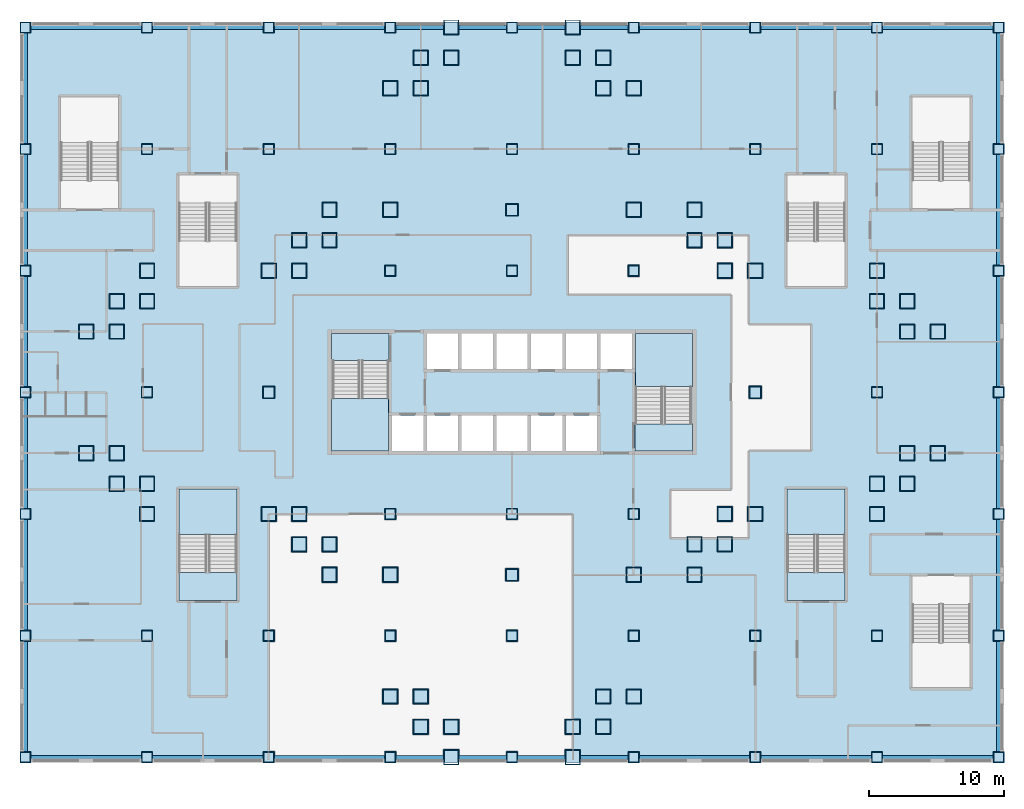
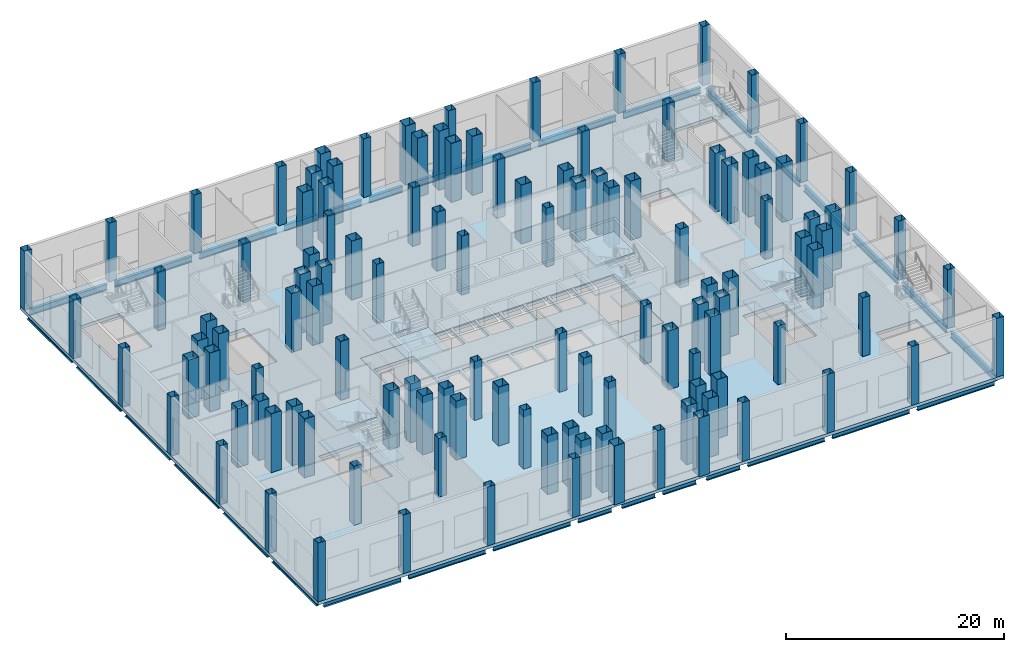
# One storey, part 1 of 26: 118 columns, 32 beams, 14 slabs, 4 elements without a shape of their own.
"""IFC4 building model written with IfcOpenShell, lengths in metres."""

from ifc_helpers import new_model, si_unit, direction, frame, origin, origin_2d, place, context, subcontext, project, spatial, polyline, hollow_rectangle, i_section, outline, extrude, material, layer, layer_set, material_profile, profile_set, type_object, element, aggregate, save


model = new_model("IFC4")

# Units and contexts
model_context = context("Model", 3, precision=1e-05, world=origin(), true_north=direction((0.0, 1.0)))
body_context = subcontext(model_context, "Body", "Model", "MODEL_VIEW")
ifc_project = project(units=[si_unit("LENGTHUNIT", "METRE"), si_unit("AREAUNIT", "SQUARE_METRE"), si_unit("VOLUMEUNIT", "CUBIC_METRE"), si_unit("PLANEANGLEUNIT", "RADIAN"), si_unit("MASSUNIT", "GRAM", prefix="KILO")], contexts=[model_context])

# Site, building, storey
site_placement = place(None, origin())
site = spatial("IfcSite", under=ifc_project, at=site_placement, CompositionType="ELEMENT")
building_placement = place(site_placement, origin())
building = spatial("IfcBuilding", under=site, at=building_placement, Name="Caravel Reach Hotel and Residences", CompositionType="ELEMENT")
storey_placement = place(building_placement, frame((0.0, 0.0, 17.39990234375)))
storey = spatial("IfcBuildingStorey", under=building, at=storey_placement, Name="L03", CompositionType="ELEMENT", Elevation=17.39990234375)

# Columns
ifc_material_1 = material(Name="Concrete-filled steel tube Q390B with Concrete C70 infill", Category="concrete")
ifc_material_profile_1 = material_profile(ifc_material_1, hollow_rectangle(XDim=1.10009765625, YDim=1.10009765625, WallThickness=0.035888671875, at=origin_2d()), Name="RHS 1100x1100x36")
ifc_profile_set_1 = profile_set([ifc_material_profile_1], Name="Concrete-filled steel tube Q390B with Concrete C70 infill")
column_type_1 = type_object("IfcColumnType", Name="CFT 1100x1100 Q390B C70", PredefinedType="COLUMN", material=ifc_profile_set_1)
for number, where, z_axis, x_axis, name in (
    (1, (22.5, 4.5, 0.0), (0.0, 0.0, 1.0), (1.0, 0.0, 0.0), "C1 column"),
    (2, (24.75, 4.5, 0.0), (0.0, 0.0, 1.0), (1.0, 0.0, 0.0), "C1 column"),
    (3, (24.75, 2.25, 0.0), (0.0, 0.0, 1.0), (1.0, 0.0, 0.0), "C1 column"),
    (4, (27.0, 2.25, 0.0), (0.0, 0.0, 1.0), (1.0, 0.0, 0.0), "C1 column"),
    (5, (27.0, 0.0, 0.0), (0.0, 0.0, 1.0), (1.0, 0.0, 0.0), "C1 column"),
    (6, (36.0, 0.0, 0.0), (0.0, 0.0, 1.0), (1.0, 0.0, 0.0), "C1 column"),
    (7, (36.0, 2.25, 0.0), (0.0, 0.0, 1.0), (1.0, 0.0, 0.0), "C1 column"),
    (8, (38.25, 2.25, 0.0), (0.0, 0.0, 1.0), (1.0, 0.0, 0.0), "C1 column"),
    (9, (38.25, 4.5, 0.0), (0.0, 0.0, 1.0), (1.0, 0.0, 0.0), "C1 column"),
    (10, (40.5, 4.5, 0.0), (0.0, 0.0, 1.0), (1.0, 0.0, 0.0), "C1 column"),
    (11, (40.5, 13.5, 0.0), (0.0, 0.0, 1.0), (1.0, 0.0, 0.0), "C1 column"),
    (12, (45.0, 13.5, 0.0), (0.0, 0.0, 1.0), (1.0, 0.0, 0.0), "C1 column"),
    (13, (45.0, 15.75, 0.0), (0.0, 0.0, 1.0), (1.0, 0.0, 0.0), "C1 column"),
    (14, (47.25, 15.75, 0.0), (0.0, 0.0, 1.0), (1.0, 0.0, 0.0), "C1 column"),
    (15, (47.25, 18.0, 0.0), (0.0, 0.0, 1.0), (1.0, 0.0, 0.0), "C1 column"),
    (16, (49.5, 18.0, 0.0), (0.0, 0.0, 1.0), (1.0, 0.0, 0.0), "C1 column"),
    (17, (58.5, 18.0, 0.0), (0.0, 0.0, 1.0), (1.0, 0.0, 0.0), "C1 column"),
    (18, (58.5, 20.25, 0.0), (0.0, 0.0, 1.0), (1.0, 0.0, 0.0), "C1 column"),
    (19, (60.75, 20.25, 0.0), (0.0, 0.0, 1.0), (1.0, 0.0, 0.0), "C1 column"),
    (20, (60.75, 22.5, 0.0), (0.0, 0.0, 1.0), (1.0, 0.0, 0.0), "C1 column"),
    (21, (63.0, 22.5, 0.0), (0.0, 0.0, 1.0), (1.0, 0.0, 0.0), "C1 column"),
    (22, (63.0, 31.5, 0.0), (0.0, 0.0, 1.0), (1.0, 0.0, 0.0), "C1 column"),
    (23, (60.75, 31.5, 0.0), (0.0, 0.0, 1.0), (1.0, 0.0, 0.0), "C1 column"),
    (24, (60.75, 33.75, 0.0), (0.0, 0.0, 1.0), (1.0, 0.0, 0.0), "C1 column"),
    (25, (58.5, 33.75, 0.0), (0.0, 0.0, 1.0), (1.0, 0.0, 0.0), "C1 column"),
    (26, (58.5, 36.0, 0.0), (0.0, 0.0, 1.0), (1.0, 0.0, 0.0), "C1 column"),
    (27, (49.5, 36.0, 0.0), (0.0, 0.0, 1.0), (1.0, 0.0, 0.0), "C1 column"),
    (28, (47.25, 36.0, 0.0), (0.0, 0.0, 1.0), (1.0, 0.0, 0.0), "C1 column"),
    (29, (47.25, 38.25, 0.0), (0.0, 0.0, 1.0), (1.0, 0.0, 0.0), "C1 column"),
    (30, (45.0, 38.25, 0.0), (0.0, 0.0, 1.0), (1.0, 0.0, 0.0), "C1 column"),
    (31, (45.0, 40.5, 0.0), (0.0, 0.0, 1.0), (1.0, 0.0, 0.0), "C1 column"),
    (32, (40.5, 40.5, 0.0), (0.0, 0.0, 1.0), (1.0, 0.0, 0.0), "C1 column"),
    (33, (40.5, 49.5, 0.0), (0.0, 0.0, 1.0), (1.0, 0.0, 0.0), "C1 column"),
    (34, (38.25, 49.5, 0.0), (0.0, 0.0, 1.0), (1.0, 0.0, 0.0), "C1 column"),
    (35, (38.25, 51.75, 0.0), (0.0, 0.0, 1.0), (1.0, 0.0, 0.0), "C1 column"),
    (36, (36.0, 51.75, 0.0), (0.0, 0.0, 1.0), (1.0, 0.0, 0.0), "C1 column"),
    (37, (36.0, 54.0, 0.0), (0.0, 0.0, 1.0), (1.0, 0.0, 0.0), "C1 column"),
    (38, (27.0, 54.0, 0.0), (0.0, 0.0, 1.0), (1.0, 0.0, 0.0), "C1 column"),
    (39, (27.0, 51.75, 0.0), (0.0, 0.0, 1.0), (1.0, 0.0, 0.0), "C1 column"),
    (40, (24.75, 51.75, 0.0), (0.0, 0.0, 1.0), (1.0, 0.0, 0.0), "C1 column"),
    (41, (24.75, 49.5, 0.0), (0.0, 0.0, 1.0), (1.0, 0.0, 0.0), "C1 column"),
    (42, (22.5, 49.5, 0.0), (0.0, 0.0, 1.0), (1.0, 0.0, 0.0), "C1 column"),
    (43, (22.5, 40.5, 0.0), (0.0, 0.0, 1.0), (1.0, 0.0, 0.0), "C1 column"),
    (44, (18.0, 40.5, 0.0), (0.0, 0.0, 1.0), (1.0, 0.0, 0.0), "C1 column"),
    (45, (18.0, 38.25, 0.0), (0.0, 0.0, 1.0), (1.0, 0.0, 0.0), "C1 column"),
    (46, (15.75, 38.25, 0.0), (0.0, 0.0, 1.0), (1.0, 0.0, 0.0), "C1 column"),
    (47, (15.75, 36.0, 0.0), (0.0, 0.0, 1.0), (1.0, 0.0, 0.0), "C1 column"),
    (48, (13.5, 36.0, 0.0), (0.0, 0.0, 1.0), (1.0, 0.0, 0.0), "C1 column"),
    (49, (4.5, 36.0, 0.0), (0.0, 0.0, 1.0), (1.0, 0.0, 0.0), "C1 column"),
    (50, (4.5, 33.75, 0.0), (0.0, 0.0, 1.0), (1.0, 0.0, 0.0), "C1 column"),
    (51, (2.25, 33.75, 0.0), (0.0, 0.0, 1.0), (1.0, 0.0, 0.0), "C1 column"),
    (52, (2.25, 31.5, 0.0), (0.0, 0.0, 1.0), (1.0, 0.0, 0.0), "C1 column"),
    (53, (0.0, 31.5, 0.0), (0.0, 0.0, 1.0), (1.0, 0.0, 0.0), "C1 column"),
    (54, (0.0, 22.5, 0.0), (0.0, 0.0, 1.0), (1.0, 0.0, 0.0), "C1 column"),
    (55, (2.25, 22.5, 0.0), (0.0, 0.0, 1.0), (1.0, 0.0, 0.0), "C1 column"),
    (56, (2.25, 20.25, 0.0), (0.0, 0.0, 1.0), (1.0, 0.0, 0.0), "C1 column"),
    (57, (4.5, 20.25, 0.0), (0.0, 0.0, 1.0), (1.0, 0.0, 0.0), "C1 column"),
    (58, (4.5, 18.0, 0.0), (0.0, 0.0, 1.0), (1.0, 0.0, 0.0), "C1 column"),
    (59, (13.5, 18.0, 0.0), (0.0, 0.0, 1.0), (1.0, 0.0, 0.0), "C1 column"),
    (60, (15.75, 18.0, 0.0), (0.0, 0.0, 1.0), (1.0, 0.0, 0.0), "C1 column"),
    (61, (15.75, 15.75, 0.0), (0.0, 0.0, 1.0), (1.0, 0.0, 0.0), "C1 column"),
    (62, (18.0, 15.75, 0.0), (0.0, 0.0, 1.0), (1.0, 0.0, 0.0), "C1 column"),
    (63, (18.0, 13.5, 0.0), (0.0, 0.0, 1.0), (1.0, 0.0, 0.0), "C1 column"),
    (64, (22.5, 13.5, 0.0), (0.0, 0.0, 1.0), (1.0, 0.0, 0.0), "C1 column"),
):
    element("IfcColumn", number, at=place(storey_placement, frame(where, z_axis=z_axis, x_axis=x_axis)), inside=storey, type_object=column_type_1, Name=name, PredefinedType="COLUMN", context=body_context, shape_type="SweptSolid", body=[
        extrude(hollow_rectangle(XDim=1.10009765625, YDim=1.10009765625, WallThickness=0.035888671875, at=origin_2d()), origin(), (0.0, 0.0, 1.0), 6.60009765625),
    ])
ifc_material_2 = material(Name="Concrete-filled steel tube Q390B with Concrete C70 infill", Category="concrete")
ifc_material_profile_2 = material_profile(ifc_material_2, hollow_rectangle(XDim=0.800048828125, YDim=0.800048828125, WallThickness=0.02490234375, at=origin_2d()), Name="RHS 800x800x25")
ifc_profile_set_2 = profile_set([ifc_material_profile_2], Name="Concrete-filled steel tube Q390B with Concrete C70 infill")
column_type_2 = type_object("IfcColumnType", Name="CFT 800x800 Q390B C70", PredefinedType="COLUMN", material=ifc_profile_set_2)
for number, where, z_axis, x_axis, name in (
    (65, (-4.5, 0.0, 0.0), (0.0, 0.0, 1.0), (1.0, 0.0, 0.0), "C4 column"),
    (66, (-4.5, 9.0, 0.0), (0.0, 0.0, 1.0), (1.0, 0.0, 0.0), "C4 column"),
    (67, (-4.5, 18.0, 0.0), (0.0, 0.0, 1.0), (1.0, 0.0, 0.0), "C4 column"),
    (68, (-4.5, 27.0, 0.0), (0.0, 0.0, 1.0), (1.0, 0.0, 0.0), "C4 column"),
    (69, (-4.5, 36.0, 0.0), (0.0, 0.0, 1.0), (1.0, 0.0, 0.0), "C4 column"),
    (70, (-4.5, 45.0, 0.0), (0.0, 0.0, 1.0), (1.0, 0.0, 0.0), "C4 column"),
    (71, (-4.5, 54.0, 0.0), (0.0, 0.0, 1.0), (1.0, 0.0, 0.0), "C4 column"),
    (72, (4.5, 0.0, 0.0), (0.0, 0.0, 1.0), (1.0, 0.0, 0.0), "C4 column"),
    (73, (4.5, 54.0, 0.0), (0.0, 0.0, 1.0), (1.0, 0.0, 0.0), "C4 column"),
    (74, (13.5, 0.0, 0.0), (0.0, 0.0, 1.0), (1.0, 0.0, 0.0), "C4 column"),
    (75, (13.5, 54.0, 0.0), (0.0, 0.0, 1.0), (1.0, 0.0, 0.0), "C4 column"),
    (76, (22.5, 0.0, 0.0), (0.0, 0.0, 1.0), (1.0, 0.0, 0.0), "C4 column"),
    (77, (22.5, 54.0, 0.0), (0.0, 0.0, 1.0), (1.0, 0.0, 0.0), "C4 column"),
    (78, (31.5, 0.0, 0.0), (0.0, 0.0, 1.0), (1.0, 0.0, 0.0), "C4 column"),
    (79, (31.5, 54.0, 0.0), (0.0, 0.0, 1.0), (1.0, 0.0, 0.0), "C4 column"),
    (80, (40.5, 0.0, 0.0), (0.0, 0.0, 1.0), (1.0, 0.0, 0.0), "C4 column"),
    (81, (40.5, 54.0, 0.0), (0.0, 0.0, 1.0), (1.0, 0.0, 0.0), "C4 column"),
    (82, (49.5, 0.0, 0.0), (0.0, 0.0, 1.0), (1.0, 0.0, 0.0), "C4 column"),
    (83, (49.5, 54.0, 0.0), (0.0, 0.0, 1.0), (1.0, 0.0, 0.0), "C4 column"),
    (84, (58.5, 0.0, 0.0), (0.0, 0.0, 1.0), (1.0, 0.0, 0.0), "C4 column"),
    (85, (58.5, 54.0, 0.0), (0.0, 0.0, 1.0), (1.0, 0.0, 0.0), "C4 column"),
    (86, (67.5, 0.0, 0.0), (0.0, 0.0, 1.0), (1.0, 0.0, 0.0), "C4 column"),
    (87, (67.5, 9.0, 0.0), (0.0, 0.0, 1.0), (1.0, 0.0, 0.0), "C4 column"),
    (88, (67.5, 18.0, 0.0), (0.0, 0.0, 1.0), (1.0, 0.0, 0.0), "C4 column"),
    (89, (67.5, 27.0, 0.0), (0.0, 0.0, 1.0), (1.0, 0.0, 0.0), "C4 column"),
    (90, (67.5, 36.0, 0.0), (0.0, 0.0, 1.0), (1.0, 0.0, 0.0), "C4 column"),
    (91, (67.5, 45.0, 0.0), (0.0, 0.0, 1.0), (1.0, 0.0, 0.0), "C4 column"),
    (92, (67.5, 54.0, 0.0), (0.0, 0.0, 1.0), (1.0, 0.0, 0.0), "C4 column"),
    (93, (4.5, 9.0, 0.0), (0.0, 0.0, 1.0), (1.0, 0.0, 0.0), "C4 column"),
    (94, (4.5, 27.0, 0.0), (0.0, 0.0, 1.0), (1.0, 0.0, 0.0), "C4 column"),
    (95, (4.5, 45.0, 0.0), (0.0, 0.0, 1.0), (1.0, 0.0, 0.0), "C4 column"),
    (96, (13.5, 9.0, 0.0), (0.0, 0.0, 1.0), (1.0, 0.0, 0.0), "C4 column"),
    (97, (13.5, 45.0, 0.0), (0.0, 0.0, 1.0), (1.0, 0.0, 0.0), "C4 column"),
    (98, (22.5, 9.0, 0.0), (0.0, 0.0, 1.0), (1.0, 0.0, 0.0), "C4 column"),
    (99, (22.5, 18.0, 0.0), (0.0, 0.0, 1.0), (1.0, 0.0, 0.0), "C4 column"),
    (100, (22.5, 36.0, 0.0), (0.0, 0.0, 1.0), (1.0, 0.0, 0.0), "C4 column"),
    (101, (22.5, 45.0, 0.0), (0.0, 0.0, 1.0), (1.0, 0.0, 0.0), "C4 column"),
    (102, (31.5, 9.0, 0.0), (0.0, 0.0, 1.0), (1.0, 0.0, 0.0), "C4 column"),
    (103, (31.5, 18.0, 0.0), (0.0, 0.0, 1.0), (1.0, 0.0, 0.0), "C4 column"),
    (104, (31.5, 36.0, 0.0), (0.0, 0.0, 1.0), (1.0, 0.0, 0.0), "C4 column"),
    (105, (31.5, 45.0, 0.0), (0.0, 0.0, 1.0), (1.0, 0.0, 0.0), "C4 column"),
    (106, (40.5, 9.0, 0.0), (0.0, 0.0, 1.0), (1.0, 0.0, 0.0), "C4 column"),
    (107, (40.5, 18.0, 0.0), (0.0, 0.0, 1.0), (1.0, 0.0, 0.0), "C4 column"),
    (108, (40.5, 36.0, 0.0), (0.0, 0.0, 1.0), (1.0, 0.0, 0.0), "C4 column"),
    (109, (40.5, 45.0, 0.0), (0.0, 0.0, 1.0), (1.0, 0.0, 0.0), "C4 column"),
    (110, (49.5, 9.0, 0.0), (0.0, 0.0, 1.0), (1.0, 0.0, 0.0), "C4 column"),
    (111, (49.5, 45.0, 0.0), (0.0, 0.0, 1.0), (1.0, 0.0, 0.0), "C4 column"),
    (112, (58.5, 9.0, 0.0), (0.0, 0.0, 1.0), (1.0, 0.0, 0.0), "C4 column"),
    (113, (58.5, 27.0, 0.0), (0.0, 0.0, 1.0), (1.0, 0.0, 0.0), "C4 column"),
    (114, (58.5, 45.0, 0.0), (0.0, 0.0, 1.0), (1.0, 0.0, 0.0), "C4 column"),
):
    element("IfcColumn", number, at=place(storey_placement, frame(where, z_axis=z_axis, x_axis=x_axis)), inside=storey, type_object=column_type_2, Name=name, PredefinedType="COLUMN", context=body_context, shape_type="SweptSolid", body=[
        extrude(hollow_rectangle(XDim=0.800048828125, YDim=0.800048828125, WallThickness=0.02490234375, at=origin_2d()), origin(), (0.0, 0.0, 1.0), 6.60009765625),
    ])
ifc_material_3 = material(Name="Concrete-filled steel tube Q390B with Concrete C70 infill", Category="concrete")
ifc_material_profile_3 = material_profile(ifc_material_3, hollow_rectangle(XDim=0.89990234375, YDim=0.89990234375, WallThickness=0.028076171875, at=origin_2d()), Name="RHS 900x900x28")
ifc_profile_set_3 = profile_set([ifc_material_profile_3], Name="Concrete-filled steel tube Q390B with Concrete C70 infill")
column_type_3 = type_object("IfcColumnType", Name="CFT 900x900 Q390B C70", PredefinedType="COLUMN", material=ifc_profile_set_3)
for number, where, z_axis, x_axis, name in (
    (115, (31.5, 40.5, 0.0), (0.0, 0.0, 1.0), (1.0, 0.0, 0.0), "C3 column"),
    (116, (31.5, 13.5, 0.0), (0.0, 0.0, 1.0), (1.0, 0.0, 0.0), "C3 column"),
    (117, (13.5, 27.0, 0.0), (0.0, 0.0, 1.0), (1.0, 0.0, 0.0), "C3 column"),
    (118, (49.5, 27.0, 0.0), (0.0, 0.0, 1.0), (1.0, 0.0, 0.0), "C3 column"),
):
    element("IfcColumn", number, at=place(storey_placement, frame(where, z_axis=z_axis, x_axis=x_axis)), inside=storey, type_object=column_type_3, Name=name, PredefinedType="COLUMN", context=body_context, shape_type="SweptSolid", body=[
        extrude(hollow_rectangle(XDim=0.89990234375, YDim=0.89990234375, WallThickness=0.028076171875, at=origin_2d()), origin(), (0.0, 0.0, 1.0), 6.60009765625),
    ])

# Beams
ifc_material_4 = material(Name="Structural steel Q355B", Category="steel")
ifc_material_profile_4 = material_profile(ifc_material_4, i_section(OverallWidth=0.300048828125, OverallDepth=0.699951171875, WebThickness=0.012939453125, FlangeThickness=0.02392578125, FilletRadius=0.01806640625, at=origin_2d()), Name="HN 700x300x13x24")
ifc_profile_set_4 = profile_set([ifc_material_profile_4], Name="Structural steel Q355B")
beam_type = type_object("IfcBeamType", Name="Spandrel beam HN 700x300x13x24", PredefinedType="SPANDREL", material=ifc_profile_set_4)
for number, where, z_axis, x_axis, name in (
    (119, (-4.10009765625, 0.0, -0.699951171875), (1.0, 0.0, 0.0), (0.0, 1.0, 0.0), "SP2 HN 700x300x13x24"),
    (120, (4.89990234375, 0.0, -0.699951171875), (1.0, 0.0, 0.0), (0.0, 1.0, 0.0), "SP2 HN 700x300x13x24"),
    (121, (13.89990234375, 0.0, -0.699951171875), (1.0, 0.0, 0.0), (0.0, 1.0, 0.0), "SP2 HN 700x300x13x24"),
):
    element("IfcBeam", number, at=place(storey_placement, frame(where, z_axis=z_axis, x_axis=x_axis)), inside=storey, type_object=beam_type, Name=name, PredefinedType="SPANDREL", context=body_context, shape_type="SweptSolid", body=[
        extrude(i_section(OverallWidth=0.300048828125, OverallDepth=0.699951171875, WebThickness=0.012939453125, FlangeThickness=0.02392578125, FilletRadius=0.01806640625, at=origin_2d()), origin(), (0.0, 0.0, 1.0), 8.2001953125),
    ])
for number, where, z_axis, x_axis, name in (
    (122, (22.89990234375, 0.0, -0.699951171875), (1.0, 0.0, 0.0), (0.0, 1.0, 0.0), "SP2 HN 700x300x13x24"),
    (123, (27.550048828125, 0.0, -0.699951171875), (1.0, 0.0, 0.0), (0.0, 1.0, 0.0), "SP2 HN 700x300x13x24"),
    (124, (31.89990234375, 0.0, -0.699951171875), (1.0, 0.0, 0.0), (0.0, 1.0, 0.0), "SP2 HN 700x300x13x24"),
    (125, (36.550048828125, 0.0, -0.699951171875), (1.0, 0.0, 0.0), (0.0, 1.0, 0.0), "SP2 HN 700x300x13x24"),
):
    element("IfcBeam", number, at=place(storey_placement, frame(where, z_axis=z_axis, x_axis=x_axis)), inside=storey, type_object=beam_type, Name=name, PredefinedType="SPANDREL", context=body_context, shape_type="SweptSolid", body=[
        extrude(i_section(OverallWidth=0.300048828125, OverallDepth=0.699951171875, WebThickness=0.012939453125, FlangeThickness=0.02392578125, FilletRadius=0.01806640625, at=origin_2d()), origin(), (0.0, 0.0, 1.0), 3.550048828125),
    ])
for number, where, z_axis, x_axis, name in (
    (126, (40.89990234375, 0.0, -0.699951171875), (1.0, 0.0, 0.0), (0.0, 1.0, 0.0), "SP2 HN 700x300x13x24"),
    (127, (49.89990234375, 0.0, -0.699951171875), (1.0, 0.0, 0.0), (0.0, 1.0, 0.0), "SP2 HN 700x300x13x24"),
    (128, (58.89990234375, 0.0, -0.699951171875), (1.0, 0.0, 0.0), (0.0, 1.0, 0.0), "SP2 HN 700x300x13x24"),
    (129, (67.5, 0.39990234375, -0.699951171875), (0.0, 1.0, 0.0), (-1.0, 0.0, 0.0), "SP2 HN 700x300x13x24"),
    (130, (67.5, 9.39990234375, -0.699951171875), (0.0, 1.0, 0.0), (-1.0, 0.0, 0.0), "SP2 HN 700x300x13x24"),
    (131, (67.5, 18.39990234375, -0.699951171875), (0.0, 1.0, 0.0), (-1.0, 0.0, 0.0), "SP2 HN 700x300x13x24"),
    (132, (67.5, 27.39990234375, -0.699951171875), (0.0, 1.0, 0.0), (-1.0, 0.0, 0.0), "SP2 HN 700x300x13x24"),
    (133, (67.5, 36.39990234375, -0.699951171875), (0.0, 1.0, 0.0), (-1.0, 0.0, 0.0), "SP2 HN 700x300x13x24"),
    (134, (67.5, 45.39990234375, -0.699951171875), (0.0, 1.0, 0.0), (-1.0, 0.0, 0.0), "SP2 HN 700x300x13x24"),
    (135, (67.10009765625, 54.0, -0.699951171875), (-1.0, 0.0, 0.0), (0.0, -1.0, 0.0), "SP2 HN 700x300x13x24"),
    (136, (58.10009765625, 54.0, -0.699951171875), (-1.0, 0.0, 0.0), (0.0, -1.0, 0.0), "SP2 HN 700x300x13x24"),
    (137, (49.10009765625, 54.0, -0.699951171875), (-1.0, 0.0, 0.0), (0.0, -1.0, 0.0), "SP2 HN 700x300x13x24"),
):
    element("IfcBeam", number, at=place(storey_placement, frame(where, z_axis=z_axis, x_axis=x_axis)), inside=storey, type_object=beam_type, Name=name, PredefinedType="SPANDREL", context=body_context, shape_type="SweptSolid", body=[
        extrude(i_section(OverallWidth=0.300048828125, OverallDepth=0.699951171875, WebThickness=0.012939453125, FlangeThickness=0.02392578125, FilletRadius=0.01806640625, at=origin_2d()), origin(), (0.0, 0.0, 1.0), 8.2001953125),
    ])
for number, where, z_axis, x_axis, name in (
    (138, (40.10009765625, 54.0, -0.699951171875), (-1.0, 0.0, 0.0), (0.0, -1.0, 0.0), "SP2 HN 700x300x13x24"),
    (139, (35.449951171875, 54.0, -0.699951171875), (-1.0, 0.0, 0.0), (0.0, -1.0, 0.0), "SP2 HN 700x300x13x24"),
    (140, (31.10009765625, 54.0, -0.699951171875), (-1.0, 0.0, 0.0), (0.0, -1.0, 0.0), "SP2 HN 700x300x13x24"),
    (141, (26.449951171875, 54.0, -0.699951171875), (-1.0, 0.0, 0.0), (0.0, -1.0, 0.0), "SP2 HN 700x300x13x24"),
):
    element("IfcBeam", number, at=place(storey_placement, frame(where, z_axis=z_axis, x_axis=x_axis)), inside=storey, type_object=beam_type, Name=name, PredefinedType="SPANDREL", context=body_context, shape_type="SweptSolid", body=[
        extrude(i_section(OverallWidth=0.300048828125, OverallDepth=0.699951171875, WebThickness=0.012939453125, FlangeThickness=0.02392578125, FilletRadius=0.01806640625, at=origin_2d()), origin(), (0.0, 0.0, 1.0), 3.550048828125),
    ])
for number, where, z_axis, x_axis, name in (
    (142, (22.10009765625, 54.0, -0.699951171875), (-1.0, 0.0, 0.0), (0.0, -1.0, 0.0), "SP2 HN 700x300x13x24"),
    (143, (13.10009765625, 54.0, -0.699951171875), (-1.0, 0.0, 0.0), (0.0, -1.0, 0.0), "SP2 HN 700x300x13x24"),
    (144, (4.10009765625, 54.0, -0.699951171875), (-1.0, 0.0, 0.0), (0.0, -1.0, 0.0), "SP2 HN 700x300x13x24"),
    (145, (-4.5, 53.60009765625, -0.699951171875), (0.0, -1.0, 0.0), (1.0, 0.0, 0.0), "SP2 HN 700x300x13x24"),
    (146, (-4.5, 44.60009765625, -0.699951171875), (0.0, -1.0, 0.0), (1.0, 0.0, 0.0), "SP2 HN 700x300x13x24"),
    (147, (-4.5, 35.60009765625, -0.699951171875), (0.0, -1.0, 0.0), (1.0, 0.0, 0.0), "SP2 HN 700x300x13x24"),
    (148, (-4.5, 26.60009765625, -0.699951171875), (0.0, -1.0, 0.0), (1.0, 0.0, 0.0), "SP2 HN 700x300x13x24"),
    (149, (-4.5, 17.60009765625, -0.699951171875), (0.0, -1.0, 0.0), (1.0, 0.0, 0.0), "SP2 HN 700x300x13x24"),
    (150, (-4.5, 8.60009765625, -0.699951171875), (0.0, -1.0, 0.0), (1.0, 0.0, 0.0), "SP2 HN 700x300x13x24"),
):
    element("IfcBeam", number, at=place(storey_placement, frame(where, z_axis=z_axis, x_axis=x_axis)), inside=storey, type_object=beam_type, Name=name, PredefinedType="SPANDREL", context=body_context, shape_type="SweptSolid", body=[
        extrude(i_section(OverallWidth=0.300048828125, OverallDepth=0.699951171875, WebThickness=0.012939453125, FlangeThickness=0.02392578125, FilletRadius=0.01806640625, at=origin_2d()), origin(), (0.0, 0.0, 1.0), 8.2001953125),
    ])

# Slab
ifc_material_5 = material(Name="Concrete C40", Category="concrete")
ifc_layer_1 = layer(ifc_material_5, 0.35009765625)
ifc_layer_set_1 = layer_set([ifc_layer_1], Name="Core floor slab 350 mm")
slab_type_1 = type_object("IfcSlabType", Name="Core floor slab 350 mm", PredefinedType="FLOOR", material=ifc_layer_set_1)
slab_1_placement = place(storey_placement, frame((0.0, 0.0, -0.349853515625)))
element("IfcSlab", 151, at=slab_1_placement, inside=storey, type_object=slab_type_1, Name="L03 core floor", PredefinedType="FLOOR", context=body_context, shape_type="SweptSolid", body=[
    extrude(outline(polyline([(18.0, 31.5), (45.0, 31.5), (45.0, 22.5), (18.0, 22.5), (18.0, 31.5)]), holes=[polyline([(22.625, 25.27490234375), (22.625, 22.64990234375), (24.9462890625, 22.64990234375), (24.9462890625, 25.27490234375), (22.625, 25.27490234375)]), polyline([(27.517822265625, 25.27490234375), (25.1962890625, 25.27490234375), (25.1962890625, 22.64990234375), (27.517822265625, 22.64990234375), (27.517822265625, 25.27490234375)]), polyline([(30.08935546875, 25.27490234375), (27.767822265625, 25.27490234375), (27.767822265625, 22.64990234375), (30.08935546875, 22.64990234375), (30.08935546875, 25.27490234375)]), polyline([(32.66064453125, 25.27490234375), (30.33935546875, 25.27490234375), (30.33935546875, 22.64990234375), (32.66064453125, 22.64990234375), (32.66064453125, 25.27490234375)]), polyline([(18.22509765625, 22.64990234375), (22.375, 22.64990234375), (22.375, 29.35009765625), (18.22509765625, 29.35009765625), (18.22509765625, 22.64990234375)]), polyline([(27.517822265625, 31.35009765625), (25.1962890625, 31.35009765625), (25.1962890625, 28.72509765625), (27.517822265625, 28.72509765625), (27.517822265625, 31.35009765625)]), polyline([(30.08935546875, 31.35009765625), (27.767822265625, 31.35009765625), (27.767822265625, 28.72509765625), (30.08935546875, 28.72509765625), (30.08935546875, 31.35009765625)]), polyline([(32.91064453125, 25.27490234375), (32.91064453125, 22.64990234375), (35.232177734375, 22.64990234375), (35.232177734375, 25.27490234375), (32.91064453125, 25.27490234375)]), polyline([(37.8037109375, 25.27490234375), (35.482177734375, 25.27490234375), (35.482177734375, 22.64990234375), (37.8037109375, 22.64990234375), (37.8037109375, 25.27490234375)]), polyline([(44.77490234375, 31.35009765625), (40.625, 31.35009765625), (40.625, 24.64990234375), (44.77490234375, 24.64990234375), (44.77490234375, 31.35009765625)]), polyline([(32.66064453125, 31.35009765625), (30.33935546875, 31.35009765625), (30.33935546875, 28.72509765625), (32.66064453125, 28.72509765625), (32.66064453125, 31.35009765625)]), polyline([(35.232177734375, 31.35009765625), (32.91064453125, 31.35009765625), (32.91064453125, 28.72509765625), (35.232177734375, 28.72509765625), (35.232177734375, 31.35009765625)]), polyline([(37.8037109375, 31.35009765625), (35.482177734375, 31.35009765625), (35.482177734375, 28.72509765625), (37.8037109375, 28.72509765625), (37.8037109375, 31.35009765625)]), polyline([(40.375, 31.35009765625), (38.0537109375, 31.35009765625), (38.0537109375, 28.72509765625), (40.375, 28.72509765625), (40.375, 31.35009765625)])]), origin(), (0.0, 0.0, 1.0), 0.349853515625),
])

# Stair, slabs
ifc_material_6 = material(Name="Concrete C40", Category="concrete")
stair_type = type_object("IfcStairType", Name="Core stair", PredefinedType="HALF_TURN_STAIR", material=ifc_material_6)
stair_1_placement = place(storey_placement, origin())
stair_1 = element("IfcStair", 152, at=stair_1_placement, inside=storey, type_object=stair_type, Name="L03 Exit stair A", PredefinedType="HALF_TURN_STAIR")
ifc_material_7 = material(Name="Concrete C40", Category="concrete")
ifc_layer_2 = layer(ifc_material_7, 0.199951171875)
ifc_layer_set_2 = layer_set([ifc_layer_2], Name="Core stair landing")
slab_type_2 = type_object("IfcSlabType", Name="Core stair landing", PredefinedType="LANDING", material=ifc_layer_set_2)
slab_2_placement = place(storey_placement, frame((0.0, 0.0, 1.4501953125)))
slab_2 = element("IfcSlab", 153, at=slab_2_placement, type_object=slab_type_2, Name="ST-A landing 1", PredefinedType="LANDING", context=body_context, shape_type="SweptSolid", body=[
    extrude(outline(polyline([(18.14990234375, 26.550048828125), (18.14990234375, 22.64990234375), (22.375, 22.64990234375), (22.375, 26.550048828125), (18.14990234375, 26.550048828125)])), origin(), (0.0, 0.0, 1.0), 0.199951171875),
])
slab_3_placement = place(storey_placement, frame((0.0, 0.0, 3.10009765625)))
slab_3 = element("IfcSlab", 154, at=slab_3_placement, type_object=slab_type_2, Name="ST-A landing 2", PredefinedType="LANDING", context=body_context, shape_type="SweptSolid", body=[
    extrude(outline(polyline([(18.14990234375, 31.35009765625), (18.14990234375, 29.35009765625), (22.39990234375, 29.35009765625), (22.39990234375, 31.35009765625), (18.14990234375, 31.35009765625)])), origin(), (0.0, 0.0, 1.0), 0.199951171875),
])
slab_4_placement = place(storey_placement, frame((0.0, 0.0, 4.75)))
slab_4 = element("IfcSlab", 155, at=slab_4_placement, type_object=slab_type_2, Name="ST-A landing 3", PredefinedType="LANDING", context=body_context, shape_type="SweptSolid", body=[
    extrude(outline(polyline([(18.14990234375, 26.550048828125), (18.14990234375, 22.64990234375), (22.375, 22.64990234375), (22.375, 26.550048828125), (18.14990234375, 26.550048828125)])), origin(), (0.0, 0.0, 1.0), 0.2001953125),
])
aggregate(stair_1, [slab_2, slab_3, slab_4])

stair_2_placement = place(storey_placement, origin())
stair_2 = element("IfcStair", 156, at=stair_2_placement, inside=storey, type_object=stair_type, Name="L03 Exit stair B", PredefinedType="HALF_TURN_STAIR")
slab_5_placement = place(storey_placement, frame((0.0, 0.0, 1.4501953125)))
slab_5 = element("IfcSlab", 157, at=slab_5_placement, type_object=slab_type_2, Name="ST-B landing 1", PredefinedType="LANDING", context=body_context, shape_type="SweptSolid", body=[
    extrude(outline(polyline([(44.85009765625, 27.449951171875), (44.85009765625, 31.35009765625), (40.625, 31.35009765625), (40.625, 27.449951171875), (44.85009765625, 27.449951171875)])), origin(), (0.0, 0.0, 1.0), 0.199951171875),
])
slab_6_placement = place(storey_placement, frame((0.0, 0.0, 3.10009765625)))
slab_6 = element("IfcSlab", 158, at=slab_6_placement, type_object=slab_type_2, Name="ST-B landing 2", PredefinedType="LANDING", context=body_context, shape_type="SweptSolid", body=[
    extrude(outline(polyline([(44.85009765625, 22.64990234375), (44.85009765625, 24.64990234375), (40.60009765625, 24.64990234375), (40.60009765625, 22.64990234375), (44.85009765625, 22.64990234375)])), origin(), (0.0, 0.0, 1.0), 0.199951171875),
])
slab_7_placement = place(storey_placement, frame((0.0, 0.0, 4.75)))
slab_7 = element("IfcSlab", 159, at=slab_7_placement, type_object=slab_type_2, Name="ST-B landing 3", PredefinedType="LANDING", context=body_context, shape_type="SweptSolid", body=[
    extrude(outline(polyline([(44.85009765625, 27.449951171875), (44.85009765625, 31.35009765625), (40.625, 31.35009765625), (40.625, 27.449951171875), (44.85009765625, 27.449951171875)])), origin(), (0.0, 0.0, 1.0), 0.2001953125),
])
aggregate(stair_2, [slab_5, slab_6, slab_7])

stair_3_placement = place(storey_placement, origin())
stair_3 = element("IfcStair", 160, at=stair_3_placement, inside=storey, type_object=stair_type, Name="L03 Exit stair P3", PredefinedType="HALF_TURN_STAIR")
slab_8_placement = place(storey_placement, frame((0.0, 0.0, 1.4501953125)))
slab_8 = element("IfcSlab", 161, at=slab_8_placement, type_object=slab_type_2, Name="ST-P3 landing 1", PredefinedType="LANDING", context=body_context, shape_type="SweptSolid", body=[
    extrude(outline(polyline([(11.14990234375, 16.489990234375), (11.14990234375, 19.85009765625), (6.85009765625, 19.85009765625), (6.85009765625, 16.489990234375), (11.14990234375, 16.489990234375)])), origin(), (0.0, 0.0, 1.0), 0.199951171875),
])
slab_9_placement = place(storey_placement, frame((0.0, 0.0, 3.10009765625)))
slab_9 = element("IfcSlab", 162, at=slab_9_placement, type_object=slab_type_2, Name="ST-P3 landing 2", PredefinedType="LANDING", context=body_context, shape_type="SweptSolid", body=[
    extrude(outline(polyline([(11.14990234375, 11.60009765625), (11.14990234375, 13.68994140625), (6.85009765625, 13.68994140625), (6.85009765625, 11.60009765625), (11.14990234375, 11.60009765625)])), origin(), (0.0, 0.0, 1.0), 0.199951171875),
])
slab_10_placement = place(storey_placement, frame((0.0, 0.0, 4.75)))
slab_10 = element("IfcSlab", 163, at=slab_10_placement, type_object=slab_type_2, Name="ST-P3 landing 3", PredefinedType="LANDING", context=body_context, shape_type="SweptSolid", body=[
    extrude(outline(polyline([(11.14990234375, 16.489990234375), (11.14990234375, 19.85009765625), (6.85009765625, 19.85009765625), (6.85009765625, 16.489990234375), (11.14990234375, 16.489990234375)])), origin(), (0.0, 0.0, 1.0), 0.2001953125),
])
aggregate(stair_3, [slab_8, slab_9, slab_10])

stair_4_placement = place(storey_placement, origin())
stair_4 = element("IfcStair", 164, at=stair_4_placement, inside=storey, type_object=stair_type, Name="L03 Exit stair P4", PredefinedType="HALF_TURN_STAIR")
slab_11_placement = place(storey_placement, frame((0.0, 0.0, 1.4501953125)))
slab_11 = element("IfcSlab", 165, at=slab_11_placement, type_object=slab_type_2, Name="ST-P4 landing 1", PredefinedType="LANDING", context=body_context, shape_type="SweptSolid", body=[
    extrude(outline(polyline([(56.14990234375, 16.489990234375), (56.14990234375, 19.85009765625), (51.85009765625, 19.85009765625), (51.85009765625, 16.489990234375), (56.14990234375, 16.489990234375)])), origin(), (0.0, 0.0, 1.0), 0.199951171875),
])
slab_12_placement = place(storey_placement, frame((0.0, 0.0, 3.10009765625)))
slab_12 = element("IfcSlab", 166, at=slab_12_placement, type_object=slab_type_2, Name="ST-P4 landing 2", PredefinedType="LANDING", context=body_context, shape_type="SweptSolid", body=[
    extrude(outline(polyline([(56.14990234375, 11.60009765625), (56.14990234375, 13.68994140625), (51.85009765625, 13.68994140625), (51.85009765625, 11.60009765625), (56.14990234375, 11.60009765625)])), origin(), (0.0, 0.0, 1.0), 0.199951171875),
])
slab_13_placement = place(storey_placement, frame((0.0, 0.0, 4.75)))
slab_13 = element("IfcSlab", 167, at=slab_13_placement, type_object=slab_type_2, Name="ST-P4 landing 3", PredefinedType="LANDING", context=body_context, shape_type="SweptSolid", body=[
    extrude(outline(polyline([(56.14990234375, 16.489990234375), (56.14990234375, 19.85009765625), (51.85009765625, 19.85009765625), (51.85009765625, 16.489990234375), (56.14990234375, 16.489990234375)])), origin(), (0.0, 0.0, 1.0), 0.2001953125),
])
aggregate(stair_4, [slab_11, slab_12, slab_13])

# Slab
ifc_material_8 = material(Name="Concrete C40 post-tensioned", Category="concrete")
ifc_layer_3 = layer(ifc_material_8, 0.35009765625)
ifc_layer_set_3 = layer_set([ifc_layer_3], Name="Floor slab 350")
slab_type_3 = type_object("IfcSlabType", Name="Floor slab 350", PredefinedType="FLOOR", material=ifc_layer_set_3)
slab_14_placement = place(storey_placement, frame((0.0, 0.0, -0.349853515625)))
element("IfcSlab", 168, at=slab_14_placement, inside=storey, type_object=slab_type_3, Name="S3 slab L03", PredefinedType="FLOOR", context=body_context, shape_type="SweptSolid", body=[
    extrude(outline(polyline([(-4.89990234375, -0.39990234375), (-4.89990234375, 54.39990234375), (67.89990234375, 54.39990234375), (67.89990234375, -0.39990234375), (-4.89990234375, -0.39990234375)]), holes=[polyline([(45.0, 22.5), (45.0, 31.5), (18.0, 31.5), (18.0, 22.5), (45.0, 22.5)]), polyline([(11.14501953125, 41.010009765625), (6.85498046875, 41.010009765625), (6.85498046875, 34.8701171875), (11.14501953125, 34.8701171875), (11.14501953125, 41.010009765625)]), polyline([(56.14501953125, 34.8701171875), (56.14501953125, 41.010009765625), (51.85498046875, 41.010009765625), (51.85498046875, 34.8701171875), (56.14501953125, 34.8701171875)]), polyline([(11.14501953125, 19.830078125), (6.85498046875, 19.830078125), (6.85498046875, 13.68994140625), (11.14501953125, 13.68994140625), (11.14501953125, 19.830078125)]), polyline([(56.14501953125, 13.68994140625), (56.14501953125, 19.830078125), (51.85498046875, 19.830078125), (51.85498046875, 13.68994140625), (56.14501953125, 13.68994140625)]), polyline([(-1.89501953125, 42.68994140625), (2.39501953125, 42.68994140625), (2.39501953125, 48.830078125), (-1.89501953125, 48.830078125), (-1.89501953125, 42.68994140625)]), polyline([(61.10498046875, 48.830078125), (61.10498046875, 42.68994140625), (65.39501953125, 42.68994140625), (65.39501953125, 48.830078125), (61.10498046875, 48.830078125)]), polyline([(61.10498046875, 5.169921875), (65.39501953125, 5.169921875), (65.39501953125, 11.31005859375), (61.10498046875, 11.31005859375), (61.10498046875, 5.169921875)])]), origin(), (0.0, 0.0, 1.0), 0.349853515625),
])

save(model, "model.ifc")
